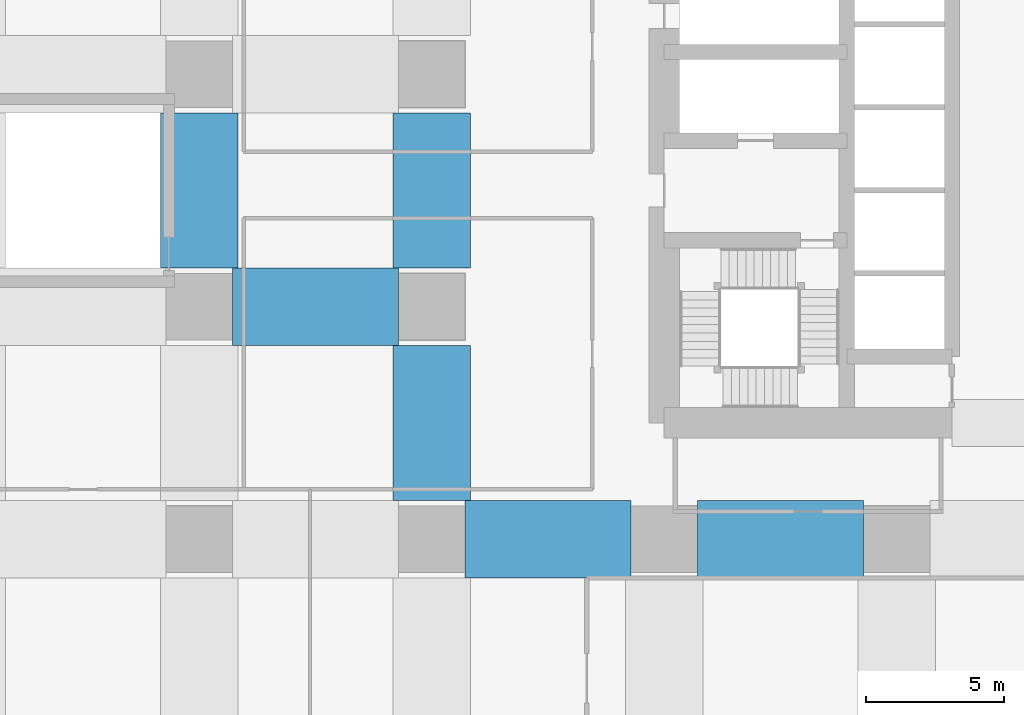
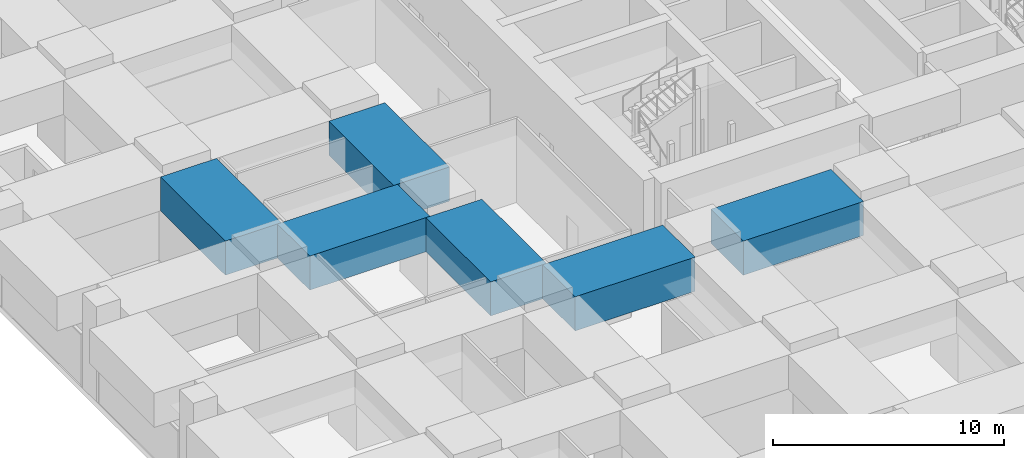
# One storey, part 12 of 52: 6 beams.
"""IFC4 building model written with IfcOpenShell, lengths in metres."""

from ifc_helpers import new_model, si_unit, direction, frame, origin, origin_2d, place, context, subcontext, project, spatial, rectangle, extrude, material, material_profile, profile_set, type_object, element, save


model = new_model("IFC4")

# Units and contexts
model_context = context("Model", 3, precision=1e-05, world=origin(), true_north=direction((0.0, 1.0)))
body_context = subcontext(model_context, "Body", "Model", "MODEL_VIEW")
ifc_project = project(units=[si_unit("LENGTHUNIT", "METRE"), si_unit("AREAUNIT", "SQUARE_METRE"), si_unit("VOLUMEUNIT", "CUBIC_METRE"), si_unit("PLANEANGLEUNIT", "RADIAN"), si_unit("MASSUNIT", "GRAM", prefix="KILO")], contexts=[model_context])

# Site, building, storey
site_placement = place(None, origin())
site = spatial("IfcSite", under=ifc_project, at=site_placement, CompositionType="ELEMENT")
building_placement = place(site_placement, origin())
building = spatial("IfcBuilding", under=site, at=building_placement, Name="Rekha Terrace Tower", CompositionType="ELEMENT")
storey_placement = place(building_placement, frame((0.0, 0.0, 20.39990234375)))
storey = spatial("IfcBuildingStorey", under=building, at=storey_placement, Name="L04", CompositionType="ELEMENT", Elevation=20.39990234375)

# Beams
ifc_material = material(Name="Concrete M70", Category="concrete")
ifc_material_profile = material_profile(ifc_material, rectangle(XDim=2.800048828125, YDim=1.800048828125, at=origin_2d()), Name="RC 2800x1800")
ifc_profile_set = profile_set([ifc_material_profile], Name="Concrete M70")
beam_type = type_object("IfcBeamType", Name="G2 2800x1800 podium roof band beam", PredefinedType="BEAM", material=ifc_profile_set)
beam_1_placement = place(storey_placement, frame((9.60009765625, 25.199951171875, 3.7001953125), z_axis=(1.0, 0.0, 0.0), x_axis=(0.0, 1.0, 0.0)))
element("IfcBeam", 1, at=beam_1_placement, inside=storey, type_object=beam_type, Name="Beam G2 2D-3D under L05", PredefinedType="BEAM", context=body_context, shape_type="SweptSolid", body=[
    extrude(rectangle(XDim=2.800048828125, YDim=1.800048828125, at=origin_2d()), origin(), (0.0, 0.0, 1.0), 6.0),
])
beam_2_placement = place(storey_placement, frame((8.39990234375, 26.60009765625, 3.7001953125), z_axis=(0.0, 1.0, 0.0), x_axis=(-1.0, 0.0, 0.0)))
element("IfcBeam", 2, at=beam_2_placement, inside=storey, type_object=beam_type, Name="Beam G2 2D-2E under L05", PredefinedType="BEAM", context=body_context, shape_type="SweptSolid", body=[
    extrude(rectangle(XDim=2.800048828125, YDim=1.800048828125, at=origin_2d()), origin(), (0.0, 0.0, 1.0), 5.599853515625),
])
beam_3_placement = place(storey_placement, frame((18.0, 16.800048828125, 3.7001953125), z_axis=(1.0, 0.0, 0.0), x_axis=(0.0, 1.0, 0.0)))
element("IfcBeam", 3, at=beam_3_placement, inside=storey, type_object=beam_type, Name="Beam G2 3C-4C under L05", PredefinedType="BEAM", context=body_context, shape_type="SweptSolid", body=[
    extrude(rectangle(XDim=2.800048828125, YDim=1.800048828125, at=origin_2d()), origin(), (0.0, 0.0, 1.0), 6.0),
])
beam_4_placement = place(storey_placement, frame((16.800048828125, 18.199951171875, 3.7001953125), z_axis=(0.0, 1.0, 0.0), x_axis=(-1.0, 0.0, 0.0)))
element("IfcBeam", 4, at=beam_4_placement, inside=storey, type_object=beam_type, Name="Beam G2 3C-3D under L05", PredefinedType="BEAM", context=body_context, shape_type="SweptSolid", body=[
    extrude(rectangle(XDim=2.800048828125, YDim=1.800048828125, at=origin_2d()), origin(), (0.0, 0.0, 1.0), 5.60009765625),
])
beam_5_placement = place(storey_placement, frame((16.800048828125, 26.60009765625, 3.7001953125), z_axis=(0.0, 1.0, 0.0), x_axis=(-1.0, 0.0, 0.0)))
element("IfcBeam", 5, at=beam_5_placement, inside=storey, type_object=beam_type, Name="Beam G2 3D-3E under L05", PredefinedType="BEAM", context=body_context, shape_type="SweptSolid", body=[
    extrude(rectangle(XDim=2.800048828125, YDim=1.800048828125, at=origin_2d()), origin(), (0.0, 0.0, 1.0), 5.599853515625),
])
beam_6_placement = place(storey_placement, frame((26.39990234375, 16.800048828125, 3.7001953125), z_axis=(1.0, 0.0, 0.0), x_axis=(0.0, 1.0, 0.0)))
element("IfcBeam", 6, at=beam_6_placement, inside=storey, type_object=beam_type, Name="Beam G2 4C-5C under L05", PredefinedType="BEAM", context=body_context, shape_type="SweptSolid", body=[
    extrude(rectangle(XDim=2.800048828125, YDim=1.800048828125, at=origin_2d()), origin(), (0.0, 0.0, 1.0), 6.0),
])

save(model, "model.ifc")
